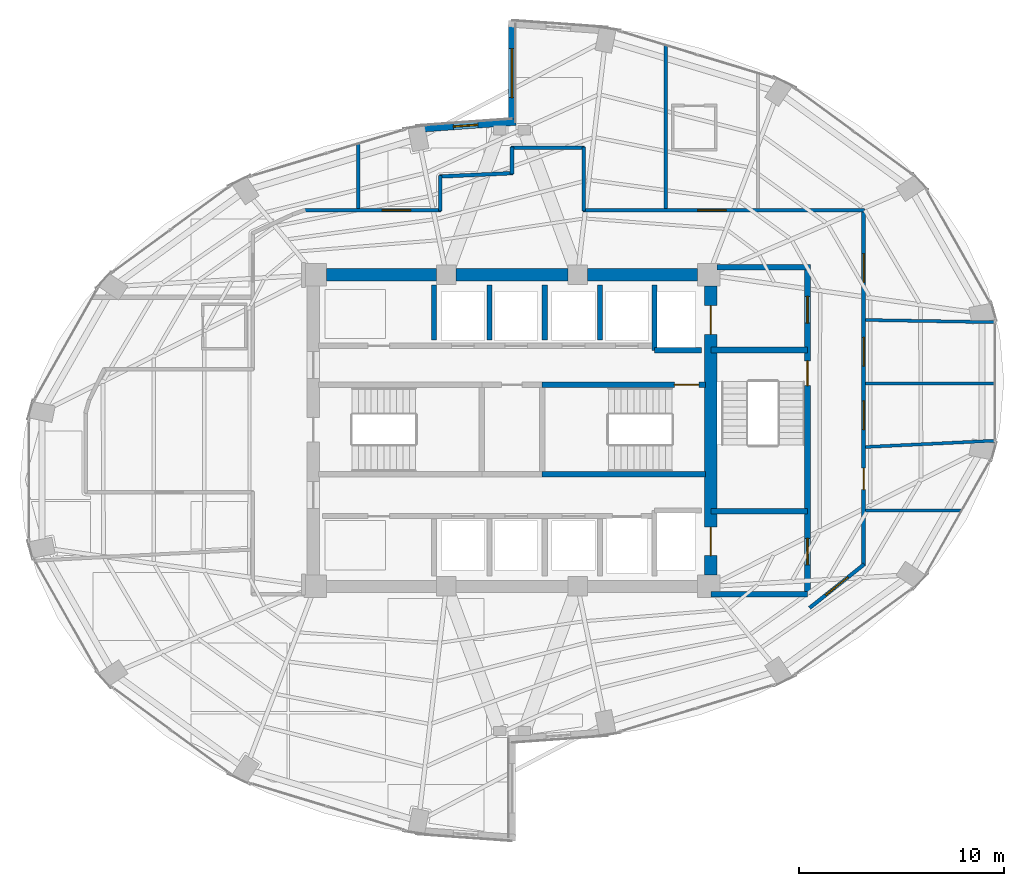
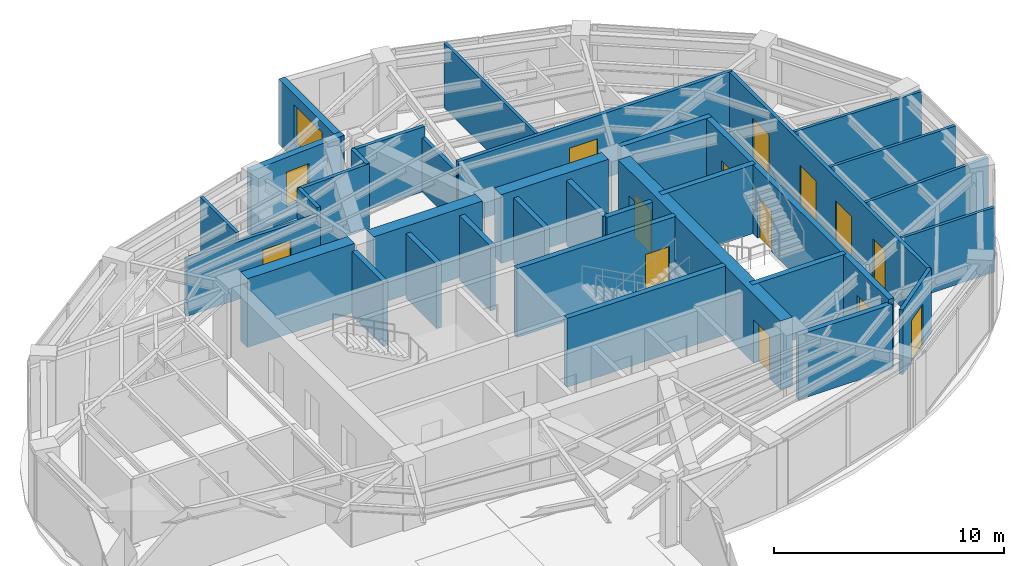
# One storey, part 17 of 20: 34 walls, 13 doors, 2 windows, 15 openings.
"""IFC4 building model written with IfcOpenShell, lengths in metres."""

from ifc_helpers import new_model, si_unit, direction, frame, frame_2d, origin, place, context, subcontext, project, spatial, rectangle, extrude, material, layer, layer_set, type_object, element, fill, save


model = new_model("IFC4")

# Units and contexts
model_context = context("Model", 3, precision=1e-05, world=origin(), true_north=direction((0.0, 1.0)))
body_context = subcontext(model_context, "Body", "Model", "MODEL_VIEW")
ifc_project = project(units=[si_unit("LENGTHUNIT", "METRE"), si_unit("AREAUNIT", "SQUARE_METRE"), si_unit("VOLUMEUNIT", "CUBIC_METRE"), si_unit("PLANEANGLEUNIT", "RADIAN"), si_unit("MASSUNIT", "GRAM", prefix="KILO")], contexts=[model_context])

# Site, building, storey
site_placement = place(None, origin())
site = spatial("IfcSite", under=ifc_project, at=site_placement, CompositionType="ELEMENT")
building_placement = place(site_placement, origin())
building = spatial("IfcBuilding", under=site, at=building_placement, Name="Lazwardi Medical Tower", CompositionType="ELEMENT")
storey_placement = place(building_placement, frame((0.0, 0.0, 145.583984375)))
storey = spatial("IfcBuildingStorey", under=building, at=storey_placement, Name="L37", CompositionType="ELEMENT", Elevation=145.583984375)

# Wall, opening, door
ifc_material_1 = material(Name="Fire-rated gypsum board on steel stud", Category="steel")
ifc_layer_1 = layer(ifc_material_1, 0.179931640625)
ifc_layer_set_1 = layer_set([ifc_layer_1], Name="Fire-rated gypsum board on steel stud")
wall_type_1 = type_object("IfcWallType", Name="WL-COR-180", PredefinedType="PARTITIONING", material=ifc_layer_set_1)
wall_1_placement = place(storey_placement, frame((25.842529296875, 38.75, 0.0), z_axis=(0.0, 0.0, 1.0), x_axis=(1.0, 0.0, 0.0)))
wall_1 = element("IfcWall", 1, at=wall_1_placement, inside=storey, type_object=wall_type_1, Name="L37 Corridor partition 6", PredefinedType="PARTITIONING", context=body_context, shape_type="SweptSolid", body=[
    extrude(rectangle(XDim=6.697509765625, YDim=0.179931640625, at=frame_2d((3.3486328125, 0.0))), origin(), (0.0, 0.0, 1.0), 3.052978515625),
])
opening_1_placement = place(wall_1_placement, frame((3.818359375, 0.0, 0.0)))
opening_1 = element("IfcOpeningElement", 2, at=opening_1_placement, cuts=wall_1, Name="Opening D-L37-017", PredefinedType="OPENING", context=body_context, shape_type="SweptSolid", body=[
    extrude(rectangle(XDim=1.39990234375, YDim=2.199951171875, at=frame_2d((0.699951171875, 1.10009765625))), frame((0.0, 0.099853515625, 0.0), z_axis=(0.0, -1.0, 0.0), x_axis=(1.0, 0.0, 0.0)), (0.0, 0.0, 1.0), 0.199951171875),
])
ifc_material_2 = material(Name="Anti-microbial laminate hospital leaf")
door_type_1 = type_object("IfcDoorType", Name="DR-BED-1400", OperationType="NOTDEFINED", PredefinedType="DOOR", material=ifc_material_2)
door_1_placement = place(opening_1_placement, origin())
door_1 = element("IfcDoor", 3, at=door_1_placement, inside=storey, type_object=door_type_1, Name="L37 Inpatient Ward Door 08", OperationType="SINGLE_SWING_RIGHT", OverallHeight=2.199951171875, OverallWidth=1.39990234375, PredefinedType="DOOR", context=body_context, shape_type="SweptSolid", body=[
    extrude(rectangle(XDim=1.39990234375, YDim=2.199951171875, at=frame_2d((0.699951171875, 1.10009765625))), frame((0.0, 0.02490234375, 0.0), z_axis=(0.0, -1.0, 0.0), x_axis=(1.0, 0.0, 0.0)), (0.0, 0.0, 1.0), 0.050048828125),
])
fill(opening_1, door_1)

# Walls
wall_2_placement = place(storey_placement, frame((32.5, 38.7099609375, 0.0), z_axis=(0.0, 0.0, 1.0), x_axis=(0.0, 1.0, 0.0)))
element("IfcWall", 4, at=wall_2_placement, inside=storey, type_object=wall_type_1, Name="L37 Corridor partition 7", PredefinedType="PARTITIONING", context=body_context, shape_type="SweptSolid", body=[
    extrude(rectangle(XDim=1.729248046875, YDim=0.179931640625, at=frame_2d((0.86474609375, 0.0))), origin(), (0.0, 0.0, 1.0), 3.427978515625),
])
wall_3_placement = place(storey_placement, frame((32.4599609375, 40.3974609375, 0.0), z_axis=(0.0, 0.0, 1.0), x_axis=(0.998948498694, 0.045846449783, 0.0)))
element("IfcWall", 5, at=wall_3_placement, inside=storey, type_object=wall_type_1, Name="L37 Corridor partition 8", PredefinedType="PARTITIONING", context=body_context, shape_type="SweptSolid", body=[
    extrude(rectangle(XDim=3.583740234375, YDim=0.179931640625, at=frame_2d((1.7919921875, 0.0))), origin(), (0.0, 0.0, 1.0), 3.427978515625),
])
wall_4_placement = place(storey_placement, frame((36.0, 40.52001953125, 0.0), z_axis=(0.0, 0.0, 1.0), x_axis=(0.0, 1.0, 0.0)))
element("IfcWall", 6, at=wall_4_placement, inside=storey, type_object=wall_type_1, Name="L37 Corridor partition 9", PredefinedType="PARTITIONING", context=body_context, shape_type="SweptSolid", body=[
    extrude(rectangle(XDim=1.320068359375, YDim=0.179931640625, at=frame_2d((0.66015625, 0.0))), origin(), (0.0, 0.0, 1.0), 3.427978515625),
])
wall_5_placement = place(storey_placement, frame((35.9599609375, 41.800048828125, 0.0), z_axis=(0.0, 0.0, 1.0), x_axis=(1.0, 0.0, 0.0)))
element("IfcWall", 7, at=wall_5_placement, inside=storey, type_object=wall_type_1, Name="L37 Corridor partition 10", PredefinedType="PARTITIONING", context=body_context, shape_type="SweptSolid", body=[
    extrude(rectangle(XDim=3.580078125, YDim=0.179931640625, at=frame_2d((1.7900390625, 0.0))), origin(), (0.0, 0.0, 1.0), 3.427978515625),
])
wall_6_placement = place(storey_placement, frame((39.5, 41.840087890625, 0.0), z_axis=(0.0, 0.0, 1.0), x_axis=(0.0, -1.0, 0.0)))
element("IfcWall", 8, at=wall_6_placement, inside=storey, type_object=wall_type_1, Name="L37 Corridor partition 11", PredefinedType="PARTITIONING", context=body_context, shape_type="SweptSolid", body=[
    extrude(rectangle(XDim=3.130126953125, YDim=0.179931640625, at=frame_2d((1.56494140625, 0.0))), origin(), (0.0, 0.0, 1.0), 2.863037109375),
])

# Wall, opening, door
wall_7_placement = place(storey_placement, frame((39.4599609375, 38.75, 0.0), z_axis=(0.0, 0.0, 1.0), x_axis=(1.0, 0.0, 0.0)))
wall_7 = element("IfcWall", 9, at=wall_7_placement, inside=storey, type_object=wall_type_1, Name="L37 Corridor partition 12", PredefinedType="PARTITIONING", context=body_context, shape_type="SweptSolid", body=[
    extrude(rectangle(XDim=13.72998046875, YDim=0.179931640625, at=frame_2d((6.864990234375, 0.0))), origin(), (0.0, 0.0, 1.0), 3.427978515625),
])
opening_2_placement = place(wall_7_placement, frame((5.590087890625, 0.0, 0.0)))
opening_2 = element("IfcOpeningElement", 10, at=opening_2_placement, cuts=wall_7, Name="Opening D-L37-016", PredefinedType="OPENING", context=body_context, shape_type="SweptSolid", body=[
    extrude(rectangle(XDim=1.39990234375, YDim=2.199951171875, at=frame_2d((0.699951171875, 1.10009765625))), frame((0.0, 0.099853515625, 0.0), z_axis=(0.0, -1.0, 0.0), x_axis=(1.0, 0.0, 0.0)), (0.0, 0.0, 1.0), 0.199951171875),
])
door_2_placement = place(opening_2_placement, origin())
door_2 = element("IfcDoor", 11, at=door_2_placement, inside=storey, type_object=door_type_1, Name="L37 Patient Bedroom Door 07", OperationType="SINGLE_SWING_LEFT", OverallHeight=2.199951171875, OverallWidth=1.39990234375, PredefinedType="DOOR", context=body_context, shape_type="SweptSolid", body=[
    extrude(rectangle(XDim=1.39990234375, YDim=2.199951171875, at=frame_2d((0.699951171875, 1.10009765625))), frame((0.0, 0.02490234375, 0.0), z_axis=(0.0, -1.0, 0.0), x_axis=(1.0, 0.0, 0.0)), (0.0, 0.0, 1.0), 0.050048828125),
])
fill(opening_2, door_2)

# Wall, openings, doors
wall_8_placement = place(storey_placement, frame((53.14990234375, 38.7900390625, 0.0), z_axis=(0.0, 0.0, 1.0), x_axis=(0.0, -1.0, 0.0)))
wall_8 = element("IfcWall", 12, at=wall_8_placement, inside=storey, type_object=wall_type_1, Name="L37 Corridor partition 13", PredefinedType="PARTITIONING", context=body_context, shape_type="SweptSolid", body=[
    extrude(rectangle(XDim=17.374267578125, YDim=0.179931640625, at=frame_2d((8.68701171875, 0.0))), origin(), (0.0, 0.0, 1.0), 3.427978515625),
])
opening_3_placement = place(wall_8_placement, frame((12.613037109375, 0.0, 0.0)))
opening_3 = element("IfcOpeningElement", 13, at=opening_3_placement, cuts=wall_8, Name="Opening D-L37-012", PredefinedType="OPENING", context=body_context, shape_type="SweptSolid", body=[
    extrude(rectangle(XDim=1.050048828125, YDim=2.14990234375, at=frame_2d((0.52490234375, 1.074951171875))), frame((0.0, 0.099853515625, 0.0), z_axis=(0.0, -1.0, 0.0), x_axis=(1.0, 0.0, 0.0)), (0.0, 0.0, 1.0), 0.199951171875),
])
opening_4_placement = place(wall_8_placement, frame((9.338134765625, 0.0, 0.0)))
opening_4 = element("IfcOpeningElement", 14, at=opening_4_placement, cuts=wall_8, Name="Opening D-L37-013", PredefinedType="OPENING", context=body_context, shape_type="SweptSolid", body=[
    extrude(rectangle(XDim=1.39990234375, YDim=2.199951171875, at=frame_2d((0.699951171875, 1.10009765625))), frame((0.0, 0.099853515625, 0.0), z_axis=(0.0, -1.0, 0.0), x_axis=(1.0, 0.0, 0.0)), (0.0, 0.0, 1.0), 0.199951171875),
])
opening_5_placement = place(wall_8_placement, frame((6.24072265625, 0.0, 0.0)))
opening_5 = element("IfcOpeningElement", 15, at=opening_5_placement, cuts=wall_8, Name="Opening D-L37-014", PredefinedType="OPENING", context=body_context, shape_type="SweptSolid", body=[
    extrude(rectangle(XDim=1.39990234375, YDim=2.199951171875, at=frame_2d((0.699951171875, 1.10009765625))), frame((0.0, 0.099853515625, 0.0), z_axis=(0.0, -1.0, 0.0), x_axis=(1.0, 0.0, 0.0)), (0.0, 0.0, 1.0), 0.199951171875),
])
opening_6_placement = place(wall_8_placement, frame((2.15478515625, 0.0, 0.0)))
opening_6 = element("IfcOpeningElement", 16, at=opening_6_placement, cuts=wall_8, Name="Opening D-L37-015", PredefinedType="OPENING", context=body_context, shape_type="SweptSolid", body=[
    extrude(rectangle(XDim=1.39990234375, YDim=2.199951171875, at=frame_2d((0.699951171875, 1.10009765625))), frame((0.0, 0.099853515625, 0.0), z_axis=(0.0, -1.0, 0.0), x_axis=(1.0, 0.0, 0.0)), (0.0, 0.0, 1.0), 0.199951171875),
])
door_3_placement = place(opening_4_placement, origin())
door_3 = element("IfcDoor", 17, at=door_3_placement, inside=storey, type_object=door_type_1, Name="L37 Rehabilitation Gymnasium Door 04", OperationType="SINGLE_SWING_LEFT", OverallHeight=2.199951171875, OverallWidth=1.39990234375, PredefinedType="DOOR", context=body_context, shape_type="SweptSolid", body=[
    extrude(rectangle(XDim=1.39990234375, YDim=2.199951171875, at=frame_2d((0.699951171875, 1.10009765625))), frame((0.0, 0.02490234375, 0.0), z_axis=(0.0, -1.0, 0.0), x_axis=(1.0, 0.0, 0.0)), (0.0, 0.0, 1.0), 0.050048828125),
])
fill(opening_4, door_3)
door_4_placement = place(opening_5_placement, origin())
door_4 = element("IfcDoor", 18, at=door_4_placement, inside=storey, type_object=door_type_1, Name="L37 Outpatient Clinic Door 05", OperationType="SINGLE_SWING_RIGHT", OverallHeight=2.199951171875, OverallWidth=1.39990234375, PredefinedType="DOOR", context=body_context, shape_type="SweptSolid", body=[
    extrude(rectangle(XDim=1.39990234375, YDim=2.199951171875, at=frame_2d((0.699951171875, 1.10009765625))), frame((0.0, 0.02490234375, 0.0), z_axis=(0.0, -1.0, 0.0), x_axis=(1.0, 0.0, 0.0)), (0.0, 0.0, 1.0), 0.050048828125),
])
fill(opening_5, door_4)
door_5_placement = place(opening_6_placement, origin())
door_5 = element("IfcDoor", 19, at=door_5_placement, inside=storey, type_object=door_type_1, Name="L37 Inpatient Ward Door 06", OperationType="SINGLE_SWING_LEFT", OverallHeight=2.199951171875, OverallWidth=1.39990234375, PredefinedType="DOOR", context=body_context, shape_type="SweptSolid", body=[
    extrude(rectangle(XDim=1.39990234375, YDim=2.199951171875, at=frame_2d((0.699951171875, 1.10009765625))), frame((0.0, 0.02490234375, 0.0), z_axis=(0.0, -1.0, 0.0), x_axis=(1.0, 0.0, 0.0)), (0.0, 0.0, 1.0), 0.050048828125),
])
fill(opening_6, door_5)
door_type_2 = type_object("IfcDoorType", Name="DR-CLN-1050", OperationType="NOTDEFINED", PredefinedType="DOOR", material=ifc_material_2)
door_6_placement = place(opening_3_placement, origin())
door_6 = element("IfcDoor", 20, at=door_6_placement, inside=storey, type_object=door_type_2, Name="L37 Ward Dietetic Pantry Door 03", OperationType="SINGLE_SWING_RIGHT", OverallHeight=2.14990234375, OverallWidth=1.050048828125, PredefinedType="DOOR", context=body_context, shape_type="SweptSolid", body=[
    extrude(rectangle(XDim=1.050048828125, YDim=2.14990234375, at=frame_2d((0.52490234375, 1.074951171875))), frame((0.0, 0.02490234375, 0.0), z_axis=(0.0, -1.0, 0.0), x_axis=(1.0, 0.0, 0.0)), (0.0, 0.0, 1.0), 0.050048828125),
])
fill(opening_3, door_6)

# Wall, opening, door
wall_9_placement = place(storey_placement, frame((53.181396484375, 21.480712890625, 0.0), z_axis=(0.0, 0.0, 1.0), x_axis=(-0.781420737726, -0.624004511724, 0.0)))
wall_9 = element("IfcWall", 21, at=wall_9_placement, inside=storey, type_object=wall_type_1, Name="L37 Corridor partition 14", PredefinedType="PARTITIONING", context=body_context, shape_type="SweptSolid", body=[
    extrude(rectangle(XDim=3.407470703125, YDim=0.179931640625, at=frame_2d((1.70361328125, 0.0))), origin(), (0.0, 0.0, 1.0), 3.427978515625),
])
opening_7_placement = place(wall_9_placement, frame((1.003662109375, 0.0, 0.0)))
opening_7 = element("IfcOpeningElement", 22, at=opening_7_placement, cuts=wall_9, Name="Opening D-L37-011", PredefinedType="OPENING", context=body_context, shape_type="SweptSolid", body=[
    extrude(rectangle(XDim=1.39990234375, YDim=2.199951171875, at=frame_2d((0.699951171875, 1.10009765625))), frame((0.0, 0.099853515625, 0.0), z_axis=(0.0, -1.0, 0.0), x_axis=(1.0, 0.0, 0.0)), (0.0, 0.0, 1.0), 0.199951171875),
])
door_7_placement = place(opening_7_placement, origin())
door_7 = element("IfcDoor", 23, at=door_7_placement, inside=storey, type_object=door_type_1, Name="L37 Patient Day Lounge Door 02", OperationType="SINGLE_SWING_LEFT", OverallHeight=2.199951171875, OverallWidth=1.39990234375, PredefinedType="DOOR", context=body_context, shape_type="SweptSolid", body=[
    extrude(rectangle(XDim=1.39990234375, YDim=2.199951171875, at=frame_2d((0.699951171875, 1.10009765625))), frame((0.0, 0.02490234375, 0.0), z_axis=(0.0, -1.0, 0.0), x_axis=(1.0, 0.0, 0.0)), (0.0, 0.0, 1.0), 0.050048828125),
])
fill(opening_7, door_7)

# Wall, openings, doors
ifc_material_3 = material(Name="Concrete C60/75", Category="concrete")
ifc_layer_2 = layer(ifc_material_3, 0.60009765625)
ifc_layer_set_2 = layer_set([ifc_layer_2], Name="Concrete C60/75")
wall_type_2 = type_object("IfcWallType", Name="WL-CORE-600", PredefinedType="SHEAR", material=ifc_layer_set_2)
wall_10_placement = place(storey_placement, frame((45.699951171875, 20.949951171875, 0.0), z_axis=(0.0, 0.0, 1.0), x_axis=(0.0, 1.0, 0.0)))
wall_10 = element("IfcWall", 24, at=wall_10_placement, inside=storey, type_object=wall_type_2, Name="Core wall CW-S3 east L37", PredefinedType="SHEAR", context=body_context, shape_type="SweptSolid", body=[
    extrude(rectangle(XDim=14.10009765625, YDim=0.60009765625, at=frame_2d((7.050048828125, 0.0))), origin(), (0.0, 0.0, 1.0), 3.64794921875),
])
opening_8_placement = place(wall_10_placement, frame((11.75, 0.0, 0.0)))
opening_8 = element("IfcOpeningElement", 25, at=opening_8_placement, cuts=wall_10, Name="Opening LD-L37-001", PredefinedType="OPENING", context=body_context, shape_type="SweptSolid", body=[
    extrude(rectangle(XDim=1.39990234375, YDim=2.300048828125, at=frame_2d((0.699951171875, 1.14990234375))), frame((0.0, 0.31005859375, 0.0), z_axis=(0.0, -1.0, 0.0), x_axis=(1.0, 0.0, 0.0)), (0.0, 0.0, 1.0), 0.6201171875),
])
opening_9_placement = place(wall_10_placement, frame((0.949951171875, 0.0, 0.0)))
opening_9 = element("IfcOpeningElement", 26, at=opening_9_placement, cuts=wall_10, Name="Opening LD-L37-002", PredefinedType="OPENING", context=body_context, shape_type="SweptSolid", body=[
    extrude(rectangle(XDim=1.39990234375, YDim=2.300048828125, at=frame_2d((0.699951171875, 1.14990234375))), frame((0.0, 0.31005859375, 0.0), z_axis=(0.0, -1.0, 0.0), x_axis=(1.0, 0.0, 0.0)), (0.0, 0.0, 1.0), 0.6201171875),
])
ifc_material_4 = material(Name="Brushed stainless steel bed-lift landing door", Category="steel")
door_type_3 = type_object("IfcDoorType", Name="DR-LFT-1400", OperationType="NOTDEFINED", PredefinedType="DOOR", material=ifc_material_4)
door_8_placement = place(opening_8_placement, origin())
door_8 = element("IfcDoor", 27, at=door_8_placement, inside=storey, type_object=door_type_3, Name="L37 Lift Landing Door FL-01", OperationType="SLIDING_TO_LEFT", OverallHeight=2.300048828125, OverallWidth=1.39990234375, PredefinedType="DOOR", context=body_context, shape_type="SweptSolid", body=[
    extrude(rectangle(XDim=1.39990234375, YDim=2.300048828125, at=frame_2d((0.699951171875, 1.14990234375))), frame((0.0, 0.02490234375, 0.0), z_axis=(0.0, -1.0, 0.0), x_axis=(1.0, 0.0, 0.0)), (0.0, 0.0, 1.0), 0.050048828125),
])
fill(opening_8, door_8)
door_9_placement = place(opening_9_placement, origin())
door_9 = element("IfcDoor", 28, at=door_9_placement, inside=storey, type_object=door_type_3, Name="L37 Lift Landing Door FL-02", OperationType="SLIDING_TO_LEFT", OverallHeight=2.300048828125, OverallWidth=1.39990234375, PredefinedType="DOOR", context=body_context, shape_type="SweptSolid", body=[
    extrude(rectangle(XDim=1.39990234375, YDim=2.300048828125, at=frame_2d((0.699951171875, 1.14990234375))), frame((0.0, 0.02490234375, 0.0), z_axis=(0.0, -1.0, 0.0), x_axis=(1.0, 0.0, 0.0)), (0.0, 0.0, 1.0), 0.050048828125),
])
fill(opening_9, door_9)

# Walls
wall_11_placement = place(storey_placement, frame((26.949951171875, 35.60009765625, 0.0), z_axis=(0.0, 0.0, 1.0), x_axis=(1.0, 0.0, 0.0)))
element("IfcWall", 29, at=wall_11_placement, inside=storey, type_object=wall_type_2, Name="Core wall CW-S3 N1 L37", PredefinedType="SHEAR", context=body_context, shape_type="SweptSolid", body=[
    extrude(rectangle(XDim=5.375, YDim=0.60009765625, at=frame_2d((2.6875, 0.0))), origin(), (0.0, 0.0, 1.0), 3.64794921875),
])
wall_12_placement = place(storey_placement, frame((33.27490234375, 35.60009765625, 0.0), z_axis=(0.0, 0.0, 1.0), x_axis=(1.0, 0.0, 0.0)))
element("IfcWall", 30, at=wall_12_placement, inside=storey, type_object=wall_type_2, Name="Core wall CW-S3 N2 L37", PredefinedType="SHEAR", context=body_context, shape_type="SweptSolid", body=[
    extrude(rectangle(XDim=5.4501953125, YDim=0.60009765625, at=frame_2d((2.72509765625, 0.0))), origin(), (0.0, 0.0, 1.0), 3.64794921875),
])
wall_13_placement = place(storey_placement, frame((39.675048828125, 35.60009765625, 0.0), z_axis=(0.0, 0.0, 1.0), x_axis=(1.0, 0.0, 0.0)))
element("IfcWall", 31, at=wall_13_placement, inside=storey, type_object=wall_type_2, Name="Core wall CW-S3 N3 L37", PredefinedType="SHEAR", context=body_context, shape_type="SweptSolid", body=[
    extrude(rectangle(XDim=5.375, YDim=0.60009765625, at=frame_2d((2.6875, 0.0))), origin(), (0.0, 0.0, 1.0), 3.64794921875),
])

# Wall, opening, window
ifc_material_5 = material(Name="Precast concrete C45/55", Category="concrete")
ifc_layer_3 = layer(ifc_material_5, 0.320068359375)
ifc_layer_set_3 = layer_set([ifc_layer_3], Name="Precast concrete C45/55")
wall_type_3 = type_object("IfcWallType", Name="WL-IWAN-320", PredefinedType="SOLIDWALL", material=ifc_layer_set_3)
wall_14_placement = place(storey_placement, frame((36.17919921875, 43.052978515625, 0.0), z_axis=(0.0, 0.0, 1.0), x_axis=(-0.997415202861, -0.071853413984, 0.0)))
wall_14 = element("IfcWall", 32, at=wall_14_placement, inside=storey, type_object=wall_type_3, Name="L37 Iwan Portal Return Wall NW_ret", PredefinedType="SOLIDWALL", context=body_context, shape_type="SweptSolid", body=[
    extrude(rectangle(XDim=4.892822265625, YDim=0.320068359375, at=frame_2d((2.4462890625, 0.0))), origin(), (0.0, 0.0, 1.0), 3.427978515625),
])
opening_10_placement = place(wall_14_placement, frame((1.84619140625, 0.0, 0.85009765625)))
opening_10 = element("IfcOpeningElement", 33, at=opening_10_placement, cuts=wall_14, Name="Opening WN-04", PredefinedType="OPENING", context=body_context, shape_type="SweptSolid", body=[
    extrude(rectangle(XDim=1.199951171875, YDim=1.800048828125, at=frame_2d((0.60009765625, 0.89990234375))), frame((0.0, 0.169921875, 0.0), z_axis=(0.0, -1.0, 0.0), x_axis=(1.0, 0.0, 0.0)), (0.0, 0.0, 1.0), 0.340087890625),
])
ifc_material_6 = material(Name="Low-e bronze solar control double glazing", Category="glass")
window_type_1 = type_object("IfcWindowType", Name="WIN-DRUM-1200", PartitioningType="SINGLE_PANEL", PredefinedType="WINDOW", material=ifc_material_6)
window_1_placement = place(opening_10_placement, origin())
window_1 = element("IfcWindow", 34, at=window_1_placement, inside=storey, type_object=window_type_1, Name="L37 Iwan Slot Window NW_ret", OverallHeight=1.800048828125, OverallWidth=1.199951171875, PartitioningType="SINGLE_PANEL", PredefinedType="WINDOW", context=body_context, shape_type="SweptSolid", body=[
    extrude(rectangle(XDim=1.199951171875, YDim=1.800048828125, at=frame_2d((0.60009765625, 0.89990234375))), frame((0.0, 0.030029296875, 0.0), z_axis=(0.0, -1.0, 0.0), x_axis=(1.0, 0.0, 0.0)), (0.0, 0.0, 1.0), 0.06005859375),
])
fill(opening_10, window_1)

wall_15_placement = place(storey_placement, frame((36.0, 48.0, 0.0), z_axis=(0.0, 0.0, 1.0), x_axis=(0.0, -1.0, 0.0)))
wall_15 = element("IfcWall", 35, at=wall_15_placement, inside=storey, type_object=wall_type_3, Name="L37 Turquoise Tilework Iwan Seam Wall N_seam", PredefinedType="SOLIDWALL", context=body_context, shape_type="SweptSolid", body=[
    extrude(rectangle(XDim=5.1201171875, YDim=0.320068359375, at=frame_2d((2.56005859375, 0.0))), origin(), (0.0, 0.0, 1.0), 3.427978515625),
])
opening_11_placement = place(wall_15_placement, frame((1.360107421875, 0.0, 0.840087890625)))
opening_11 = element("IfcOpeningElement", 36, at=opening_11_placement, cuts=wall_15, Name="Opening WN-02", PredefinedType="OPENING", context=body_context, shape_type="SweptSolid", body=[
    extrude(rectangle(XDim=2.39990234375, YDim=2.0400390625, at=frame_2d((1.199951171875, 1.02001953125))), frame((0.0, 0.169921875, 0.0), z_axis=(0.0, -1.0, 0.0), x_axis=(1.0, 0.0, 0.0)), (0.0, 0.0, 1.0), 0.340087890625),
])
window_type_2 = type_object("IfcWindowType", Name="WIN-IW-2400", PartitioningType="SINGLE_PANEL", PredefinedType="WINDOW", material=ifc_material_6)
window_2_placement = place(opening_11_placement, origin())
window_2 = element("IfcWindow", 37, at=window_2_placement, inside=storey, type_object=window_type_2, Name="L37 Iwan Seam Window N_seam", OverallHeight=2.0400390625, OverallWidth=2.39990234375, PartitioningType="SINGLE_PANEL", PredefinedType="WINDOW", context=body_context, shape_type="SweptSolid", body=[
    extrude(rectangle(XDim=2.39990234375, YDim=2.0400390625, at=frame_2d((1.199951171875, 1.02001953125))), frame((0.0, 0.030029296875, 0.0), z_axis=(0.0, -1.0, 0.0), x_axis=(1.0, 0.0, 0.0)), (0.0, 0.0, 1.0), 0.06005859375),
])
fill(opening_11, window_2)

# Walls
ifc_material_7 = material(Name="Autoclaved aerated concrete blockwork", Category="masonry")
ifc_layer_4 = layer(ifc_material_7, 0.25)
ifc_layer_set_4 = layer_set([ifc_layer_4], Name="Autoclaved aerated concrete blockwork")
wall_type_4 = type_object("IfcWallType", Name="WL-SHAFT-250", PredefinedType="SOLIDWALL", material=ifc_layer_set_4)
wall_16_placement = place(storey_placement, frame((42.949951171875, 31.919921875, 0.0), z_axis=(0.0, 0.0, 1.0), x_axis=(0.0, 1.0, 0.0)))
element("IfcWall", 38, at=wall_16_placement, inside=storey, type_object=wall_type_4, Name="L37 FL-01 West shaft wall", PredefinedType="SOLIDWALL", context=body_context, shape_type="SweptSolid", body=[
    extrude(rectangle(XDim=3.18017578125, YDim=0.25, at=frame_2d((1.590087890625, 0.0))), origin(), (0.0, 0.0, 1.0), 3.427978515625),
])
wall_17_placement = place(storey_placement, frame((42.949951171875, 31.919921875, 0.0), z_axis=(0.0, 0.0, 1.0), x_axis=(1.0, 0.0, 0.0)))
element("IfcWall", 39, at=wall_17_placement, inside=storey, type_object=wall_type_4, Name="L37 FL-01 South shaft wall", PredefinedType="SOLIDWALL", context=body_context, shape_type="SweptSolid", body=[
    extrude(rectangle(XDim=2.300048828125, YDim=0.25, at=frame_2d((1.14990234375, 0.0))), origin(), (0.0, 0.0, 1.0), 3.427978515625),
])
for number, where, z_axis, x_axis, name in (
    (40, (32.199951171875, 32.419921875, 0.0), (0.0, 0.0, 1.0), (0.0, 1.0, 0.0), "L37 North hoistway divider"),
    (41, (34.89990234375, 32.419921875, 0.0), (0.0, 0.0, 1.0), (0.0, 1.0, 0.0), "L37 North hoistway divider"),
    (42, (37.60009765625, 32.419921875, 0.0), (0.0, 0.0, 1.0), (0.0, 1.0, 0.0), "L37 North hoistway divider"),
    (43, (40.300048828125, 32.419921875, 0.0), (0.0, 0.0, 1.0), (0.0, 1.0, 0.0), "L37 North hoistway divider"),
):
    element("IfcWall", number, at=place(storey_placement, frame(where, z_axis=z_axis, x_axis=x_axis)), inside=storey, type_object=wall_type_4, Name=name, PredefinedType="SOLIDWALL", context=body_context, shape_type="SweptSolid", body=[
        extrude(rectangle(XDim=2.68017578125, YDim=0.25, at=frame_2d((1.340087890625, 0.0))), origin(), (0.0, 0.0, 1.0), 3.427978515625),
    ])
wall_18_placement = place(storey_placement, frame((45.699951171875, 20.02001953125, 0.0), z_axis=(0.0, 0.0, 1.0), x_axis=(1.0, 0.0, 0.0)))
element("IfcWall", 44, at=wall_18_placement, inside=storey, type_object=wall_type_4, Name="L37 FFL-S South wall", PredefinedType="SOLIDWALL", context=body_context, shape_type="SweptSolid", body=[
    extrude(rectangle(XDim=4.715087890625, YDim=0.25, at=frame_2d((2.357421875, 0.0))), origin(), (0.0, 0.0, 1.0), 3.427978515625),
])

# Wall, opening, door
ifc_material_8 = material(Name="Concrete C50/60", Category="concrete")
ifc_layer_5 = layer(ifc_material_8, 0.27001953125)
ifc_layer_set_5 = layer_set([ifc_layer_5], Name="Concrete C50/60")
wall_type_5 = type_object("IfcWallType", Name="WL-STR-250", PredefinedType="SHEAR", material=ifc_layer_set_5)
wall_19_placement = place(storey_placement, frame((37.465087890625, 30.235107421875, 0.0), z_axis=(0.0, 0.0, 1.0), x_axis=(1.0, 0.0, 0.0)))
wall_19 = element("IfcWall", 45, at=wall_19_placement, inside=storey, type_object=wall_type_5, Name="L37 ST2 North shear shaft wall SW-S1", PredefinedType="SHEAR", context=body_context, shape_type="SweptSolid", body=[
    extrude(rectangle(XDim=7.98486328125, YDim=0.27001953125, at=frame_2d((3.992431640625, 0.0))), origin(), (0.0, 0.0, 1.0), 3.64794921875),
])
opening_12_placement = place(wall_19_placement, frame((6.455078125, 0.0, 0.0)))
opening_12 = element("IfcOpeningElement", 46, at=opening_12_placement, cuts=wall_19, Name="Opening D-L37-020", PredefinedType="OPENING", context=body_context, shape_type="SweptSolid", body=[
    extrude(rectangle(XDim=1.199951171875, YDim=2.14990234375, at=frame_2d((0.60009765625, 1.074951171875))), frame((0.0, 0.14501953125, 0.0), z_axis=(0.0, -1.0, 0.0), x_axis=(1.0, 0.0, 0.0)), (0.0, 0.0, 1.0), 0.2900390625),
])
ifc_material_9 = material(Name="Fire-rated steel leaf and frame", Category="steel")
door_type_4 = type_object("IfcDoorType", Name="DR-STR-1200", OperationType="NOTDEFINED", PredefinedType="DOOR", material=ifc_material_9)
door_10_placement = place(opening_12_placement, origin())
door_10 = element("IfcDoor", 47, at=door_10_placement, inside=storey, type_object=door_type_4, Name="L37 Exit Stair ST2 Door", OperationType="SINGLE_SWING_RIGHT", OverallHeight=2.14990234375, OverallWidth=1.199951171875, PredefinedType="DOOR", context=body_context, shape_type="SweptSolid", body=[
    extrude(rectangle(XDim=1.199951171875, YDim=2.14990234375, at=frame_2d((0.60009765625, 1.074951171875))), frame((0.0, 0.02490234375, 0.0), z_axis=(0.0, -1.0, 0.0), x_axis=(1.0, 0.0, 0.0)), (0.0, 0.0, 1.0), 0.050048828125),
])
fill(opening_12, door_10)

# Wall
wall_20_placement = place(storey_placement, frame((37.465087890625, 25.885009765625, 0.0), z_axis=(0.0, 0.0, 1.0), x_axis=(1.0, 0.0, 0.0)))
element("IfcWall", 48, at=wall_20_placement, inside=storey, type_object=wall_type_5, Name="L37 ST2 South shear shaft wall SW-S1", PredefinedType="SHEAR", context=body_context, shape_type="SweptSolid", body=[
    extrude(rectangle(XDim=7.98486328125, YDim=0.27001953125, at=frame_2d((3.992431640625, 0.0))), origin(), (0.0, 0.0, 1.0), 3.64794921875),
])

# Wall, openings, doors
wall_21_placement = place(storey_placement, frame((50.4150390625, 35.844970703125, 0.0), z_axis=(0.0, 0.0, 1.0), x_axis=(0.0, -1.0, 0.0)))
wall_21 = element("IfcWall", 49, at=wall_21_placement, inside=storey, type_object=wall_type_5, Name="L37 East ST3 & FFL shear wall SW-S1", PredefinedType="SHEAR", context=body_context, shape_type="SweptSolid", body=[
    extrude(rectangle(XDim=15.824951171875, YDim=0.27001953125, at=frame_2d((7.91259765625, 0.0))), origin(), (0.0, 0.0, 1.0), 3.64794921875),
])
opening_13_placement = place(wall_21_placement, frame((4.445068359375, 0.0, 0.0)))
opening_13 = element("IfcOpeningElement", 50, at=opening_13_placement, cuts=wall_21, Name="Opening D-L37-021", PredefinedType="OPENING", context=body_context, shape_type="SweptSolid", body=[
    extrude(rectangle(XDim=1.199951171875, YDim=2.14990234375, at=frame_2d((0.60009765625, 1.074951171875))), frame((0.0, 0.14501953125, 0.0), z_axis=(0.0, -1.0, 0.0), x_axis=(1.0, 0.0, 0.0)), (0.0, 0.0, 1.0), 0.2900390625),
])
opening_14_placement = place(wall_21_placement, frame((1.294921875, 0.0, 0.0)))
opening_14 = element("IfcOpeningElement", 51, at=opening_14_placement, cuts=wall_21, Name="Opening D-L37-006", PredefinedType="OPENING", context=body_context, shape_type="SweptSolid", body=[
    extrude(rectangle(XDim=1.300048828125, YDim=2.199951171875, at=frame_2d((0.64990234375, 1.10009765625))), frame((0.0, 0.14501953125, 0.0), z_axis=(0.0, -1.0, 0.0), x_axis=(1.0, 0.0, 0.0)), (0.0, 0.0, 1.0), 0.2900390625),
])
opening_15_placement = place(wall_21_placement, frame((13.094970703125, 0.0, 0.0)))
opening_15 = element("IfcOpeningElement", 52, at=opening_15_placement, cuts=wall_21, Name="Opening D-L37-007", PredefinedType="OPENING", context=body_context, shape_type="SweptSolid", body=[
    extrude(rectangle(XDim=1.300048828125, YDim=2.199951171875, at=frame_2d((0.64990234375, 1.10009765625))), frame((0.0, 0.14501953125, 0.0), z_axis=(0.0, -1.0, 0.0), x_axis=(1.0, 0.0, 0.0)), (0.0, 0.0, 1.0), 0.2900390625),
])
door_type_5 = type_object("IfcDoorType", Name="DR-FFL-1300", OperationType="NOTDEFINED", PredefinedType="DOOR", material=ifc_material_9)
door_11_placement = place(opening_14_placement, origin())
door_11 = element("IfcDoor", 53, at=door_11_placement, inside=storey, type_object=door_type_5, Name="L37 Fire-Fighting Lobby North Door", OperationType="SINGLE_SWING_LEFT", OverallHeight=2.199951171875, OverallWidth=1.300048828125, PredefinedType="DOOR", context=body_context, shape_type="SweptSolid", body=[
    extrude(rectangle(XDim=1.300048828125, YDim=2.199951171875, at=frame_2d((0.64990234375, 1.10009765625))), frame((0.0, 0.02490234375, 0.0), z_axis=(0.0, -1.0, 0.0), x_axis=(1.0, 0.0, 0.0)), (0.0, 0.0, 1.0), 0.050048828125),
])
fill(opening_14, door_11)
door_12_placement = place(opening_15_placement, origin())
door_12 = element("IfcDoor", 54, at=door_12_placement, inside=storey, type_object=door_type_5, Name="L37 Fire-Fighting Lobby South Door", OperationType="SINGLE_SWING_RIGHT", OverallHeight=2.199951171875, OverallWidth=1.300048828125, PredefinedType="DOOR", context=body_context, shape_type="SweptSolid", body=[
    extrude(rectangle(XDim=1.300048828125, YDim=2.199951171875, at=frame_2d((0.64990234375, 1.10009765625))), frame((0.0, 0.02490234375, 0.0), z_axis=(0.0, -1.0, 0.0), x_axis=(1.0, 0.0, 0.0)), (0.0, 0.0, 1.0), 0.050048828125),
])
fill(opening_15, door_12)
door_13_placement = place(opening_13_placement, origin())
door_13 = element("IfcDoor", 55, at=door_13_placement, inside=storey, type_object=door_type_4, Name="L37 Exit Stair ST3 Door", OperationType="SINGLE_SWING_RIGHT", OverallHeight=2.14990234375, OverallWidth=1.199951171875, PredefinedType="DOOR", context=body_context, shape_type="SweptSolid", body=[
    extrude(rectangle(XDim=1.199951171875, YDim=2.14990234375, at=frame_2d((0.60009765625, 1.074951171875))), frame((0.0, 0.02490234375, 0.0), z_axis=(0.0, -1.0, 0.0), x_axis=(1.0, 0.0, 0.0)), (0.0, 0.0, 1.0), 0.050048828125),
])
fill(opening_13, door_13)

# Walls
wall_22_placement = place(storey_placement, frame((46.0, 35.97998046875, 0.0), z_axis=(0.0, 0.0, 1.0), x_axis=(1.0, 0.0, 0.0)))
element("IfcWall", 56, at=wall_22_placement, inside=storey, type_object=wall_type_5, Name="L37 FFL-N North shear wall SW-S1", PredefinedType="SHEAR", context=body_context, shape_type="SweptSolid", body=[
    extrude(rectangle(XDim=4.550048828125, YDim=0.27001953125, at=frame_2d((2.27490234375, 0.0))), origin(), (0.0, 0.0, 1.0), 3.64794921875),
])
for number, where, z_axis, x_axis, name in (
    (57, (45.699951171875, 31.93505859375, 0.0), (0.0, 0.0, 1.0), (1.0, 0.0, 0.0), "L37 ST3 North shear shaft wall SW-S1"),
    (58, (45.699951171875, 24.06494140625, 0.0), (0.0, 0.0, 1.0), (1.0, 0.0, 0.0), "L37 ST3 South shear shaft wall SW-S1"),
):
    element("IfcWall", number, at=place(storey_placement, frame(where, z_axis=z_axis, x_axis=x_axis)), inside=storey, type_object=wall_type_5, Name=name, PredefinedType="SHEAR", context=body_context, shape_type="SweptSolid", body=[
        extrude(rectangle(XDim=4.715087890625, YDim=0.27001953125, at=frame_2d((2.357421875, 0.0))), origin(), (0.0, 0.0, 1.0), 3.64794921875),
    ])
ifc_material_10 = material(Name="Acoustic gypsum board partition")
ifc_layer_6 = layer(ifc_material_10, 0.14990234375)
ifc_layer_set_6 = layer_set([ifc_layer_6], Name="Acoustic gypsum board partition")
wall_type_6 = type_object("IfcWallType", Name="WL-WRD-150", PredefinedType="PARTITIONING", material=ifc_layer_set_6)
wall_23_placement = place(storey_placement, frame((53.239990234375, 24.10009765625, 0.0), z_axis=(0.0, 0.0, 1.0), x_axis=(1.0, 0.0, 0.0)))
element("IfcWall", 59, at=wall_23_placement, inside=storey, type_object=wall_type_6, Name="L37 Room partition 3", PredefinedType="PARTITIONING", context=body_context, shape_type="SweptSolid", body=[
    extrude(rectangle(XDim=4.686767578125, YDim=0.14990234375, at=frame_2d((2.34326171875, 0.0))), origin(), (0.0, 0.0, 1.0), 3.427978515625),
])
wall_24_placement = place(storey_placement, frame((53.239990234375, 27.20361328125, 0.0), z_axis=(0.0, 0.0, 1.0), x_axis=(0.99882763896, 0.0484081362, 0.0)))
element("IfcWall", 60, at=wall_24_placement, inside=storey, type_object=wall_type_6, Name="L37 Room partition 4", PredefinedType="PARTITIONING", context=body_context, shape_type="SweptSolid", body=[
    extrude(rectangle(XDim=6.329345703125, YDim=0.14990234375, at=frame_2d((3.16455078125, 0.0))), origin(), (0.0, 0.0, 1.0), 3.427978515625),
])
wall_25_placement = place(storey_placement, frame((53.239990234375, 30.300048828125, 0.0), z_axis=(0.0, 0.0, 1.0), x_axis=(1.0, 0.0, 0.0)))
element("IfcWall", 61, at=wall_25_placement, inside=storey, type_object=wall_type_6, Name="L37 Room partition 5", PredefinedType="PARTITIONING", context=body_context, shape_type="SweptSolid", body=[
    extrude(rectangle(XDim=6.30712890625, YDim=0.14990234375, at=frame_2d((3.153564453125, 0.0))), origin(), (0.0, 0.0, 1.0), 3.427978515625),
])
wall_26_placement = place(storey_placement, frame((53.239990234375, 33.398681640625, 0.0), z_axis=(0.0, 0.0, 1.0), x_axis=(0.999852374284, -0.017182247791, 0.0)))
element("IfcWall", 62, at=wall_26_placement, inside=storey, type_object=wall_type_6, Name="L37 Room partition 6", PredefinedType="PARTITIONING", context=body_context, shape_type="SweptSolid", body=[
    extrude(rectangle(XDim=6.322998046875, YDim=0.14990234375, at=frame_2d((3.16162109375, 0.0))), origin(), (0.0, 0.0, 1.0), 3.427978515625),
])
wall_27_placement = place(storey_placement, frame((28.5, 38.840087890625, 0.0), z_axis=(0.0, 0.0, 1.0), x_axis=(0.0, 1.0, 0.0)))
element("IfcWall", 63, at=wall_27_placement, inside=storey, type_object=wall_type_6, Name="L37 Room partition 7", PredefinedType="PARTITIONING", context=body_context, shape_type="SweptSolid", body=[
    extrude(rectangle(XDim=3.142578125, YDim=0.14990234375, at=frame_2d((1.5712890625, 0.0))), origin(), (0.0, 0.0, 1.0), 3.427978515625),
])
wall_28_placement = place(storey_placement, frame((43.5, 38.840087890625, 0.0), z_axis=(0.0, 0.0, 1.0), x_axis=(0.0, 1.0, 0.0)))
element("IfcWall", 64, at=wall_28_placement, inside=storey, type_object=wall_type_6, Name="L37 Room partition 8", PredefinedType="PARTITIONING", context=body_context, shape_type="SweptSolid", body=[
    extrude(rectangle(XDim=7.942626953125, YDim=0.14990234375, at=frame_2d((3.97119140625, 0.0))), origin(), (0.0, 0.0, 1.0), 3.427978515625),
])

save(model, "model.ifc")
